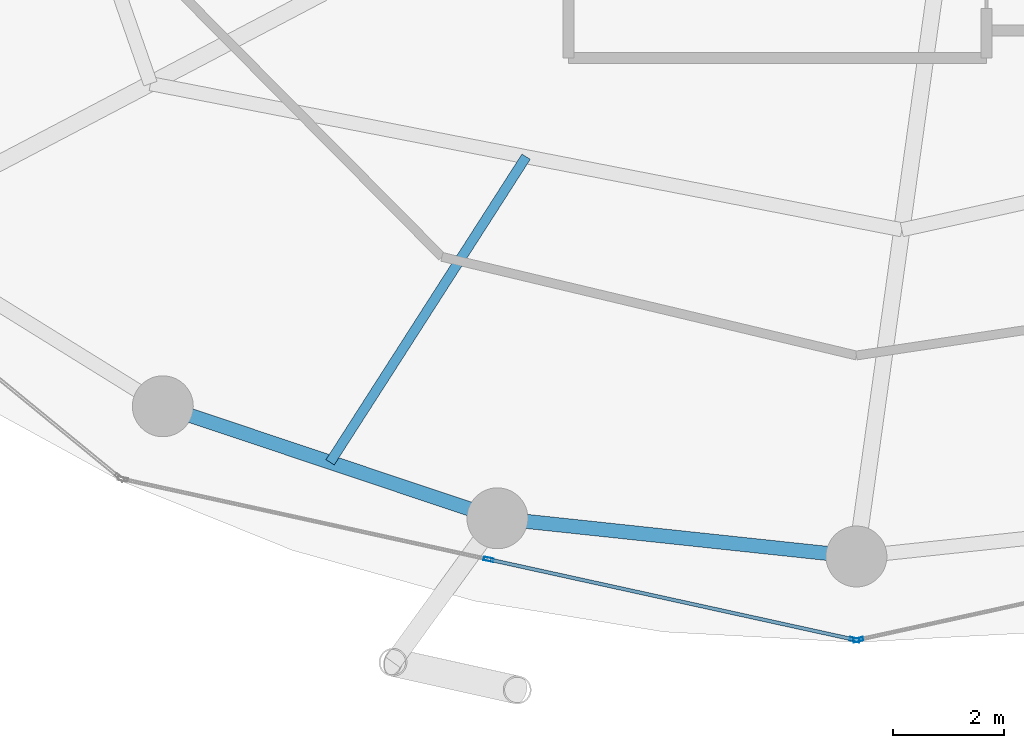
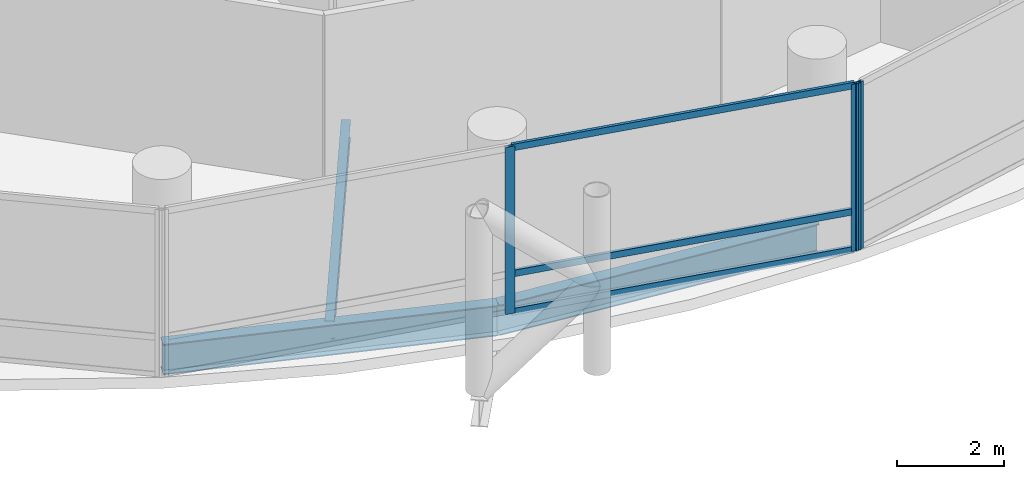
# One storey, part 4 of 24: 6 members, 3 beams, 2 elements without a shape of their own.
"""IFC4 building model written with IfcOpenShell, lengths in metres."""

from ifc_helpers import new_model, si_unit, direction, frame, origin, origin_2d, place, context, subcontext, project, spatial, hollow_rectangle, i_section, extrude, material, layer, layer_set, material_profile, profile_set, type_object, element, aggregate, save


model = new_model("IFC4")

# Units and contexts
model_context = context("Model", 3, precision=1e-05, world=origin(), true_north=direction((0.0, 1.0)))
body_context = subcontext(model_context, "Body", "Model", "MODEL_VIEW")
ifc_project = project(units=[si_unit("LENGTHUNIT", "METRE"), si_unit("AREAUNIT", "SQUARE_METRE"), si_unit("VOLUMEUNIT", "CUBIC_METRE"), si_unit("PLANEANGLEUNIT", "RADIAN"), si_unit("MASSUNIT", "GRAM", prefix="KILO")], contexts=[model_context])

# Site, building, storey
site_placement = place(None, origin())
site = spatial("IfcSite", under=ifc_project, at=site_placement, CompositionType="ELEMENT")
building_placement = place(site_placement, origin())
building = spatial("IfcBuilding", under=site, at=building_placement, Name="Nuhasar Tower", CompositionType="ELEMENT")
storey_placement = place(building_placement, frame((0.0, 0.0, 81.75)))
storey = spatial("IfcBuildingStorey", under=building, at=storey_placement, Name="L19", CompositionType="ELEMENT", Elevation=81.75)

# Beams
ifc_material_1 = material(Name="Steel S355", Category="steel")
ifc_material_profile_1 = material_profile(ifc_material_1, i_section(OverallWidth=0.177978515625, OverallDepth=0.406005859375, WebThickness=0.0078125, FlangeThickness=0.0126953125, at=origin_2d()), Name="W16X40")
ifc_profile_set_1 = profile_set([ifc_material_profile_1], Name="Steel S355")
beam_type_1 = type_object("IfcBeamType", Name="BM-JST-W16X40", PredefinedType="JOIST", material=ifc_profile_set_1)
beam_1_placement = place(storey_placement, frame((33.035888671875, 13.77001953125, -0.452880859375), z_axis=(-0.539944240715, -0.841700788237, 0.0), x_axis=(0.841700788237, -0.539944240715, 0.0)))
element("IfcBeam", 1, at=beam_1_placement, inside=storey, type_object=beam_type_1, Name="L19 Secondary Floor Joist 01", PredefinedType="JOIST", context=body_context, shape_type="SweptSolid", body=[
    extrude(i_section(OverallWidth=0.177978515625, OverallDepth=0.406005859375, WebThickness=0.0078125, FlangeThickness=0.0126953125, at=origin_2d()), origin(), (0.0, 0.0, 1.0), 6.555908203125),
])
ifc_material_profile_2 = material_profile(ifc_material_1, i_section(OverallWidth=0.256103515625, OverallDepth=0.693115234375, WebThickness=0.014404296875, FlangeThickness=0.023681640625, at=origin_2d()), Name="W27X114")
ifc_profile_set_2 = profile_set([ifc_material_profile_2], Name="Steel S355")
beam_type_2 = type_object("IfcBeamType", Name="BM-RING-W27X114", PredefinedType="SPANDREL", material=ifc_profile_set_2)
beam_2_placement = place(storey_placement, frame((26.47509765625, 9.262939453125, -0.596923828125), z_axis=(0.94826097201, -0.317491935271, 0.0), x_axis=(0.317491935271, 0.94826097201, 0.0)))
element("IfcBeam", 2, at=beam_2_placement, inside=storey, type_object=beam_type_2, Name="L19 Perimeter Ring Spandrel 17", PredefinedType="SPANDREL", context=body_context, shape_type="SweptSolid", body=[
    extrude(i_section(OverallWidth=0.256103515625, OverallDepth=0.693115234375, WebThickness=0.014404296875, FlangeThickness=0.023681640625, at=origin_2d()), origin(), (0.0, 0.0, 1.0), 6.37158203125),
])
beam_3_placement = place(storey_placement, frame((32.51708984375, 7.239990234375, -0.596923828125), z_axis=(0.994384554061, -0.105827022286, 0.0), x_axis=(0.105827022286, 0.994384554061, 0.0)))
element("IfcBeam", 3, at=beam_3_placement, inside=storey, type_object=beam_type_2, Name="L19 Perimeter Ring Spandrel 18", PredefinedType="SPANDREL", context=body_context, shape_type="SweptSolid", body=[
    extrude(i_section(OverallWidth=0.256103515625, OverallDepth=0.693115234375, WebThickness=0.014404296875, FlangeThickness=0.023681640625, at=origin_2d()), origin(), (0.0, 0.0, 1.0), 6.51953125),
])

# Curtain wall, members
ifc_material_2 = material(Name="Aluminium 6063-T6", Category="aluminium")
ifc_layer = layer(ifc_material_2, 0.199951171875)
ifc_layer_set = layer_set([ifc_layer], Name="Aluminium 6063-T6")
curtain_wall_type = type_object("IfcCurtainWallType", Name="CW-Z1-OFF", PredefinedType="NOTDEFINED", material=ifc_layer_set)
curtain_wall_1_placement = place(storey_placement, origin())
curtain_wall_1 = element("IfcCurtainWall", 4, at=curtain_wall_1_placement, inside=storey, type_object=curtain_wall_type, Name="L19 Unitised Curtain Wall 09", PredefinedType="NOTDEFINED")
ifc_material_profile_3 = material_profile(ifc_material_2, hollow_rectangle(XDim=0.06494140625, YDim=0.179931640625, WallThickness=0.0048828125, at=origin_2d()), Name="CWM-2")
ifc_profile_set_3 = profile_set([ifc_material_profile_3], Name="Aluminium 6063-T6")
member_type_1 = type_object("IfcMemberType", Name="CW-MUL-S2", PredefinedType="MULLION", material=ifc_profile_set_3)
member_1_placement = place(storey_placement, frame((32.360107421875, 6.49755859375, 0.0), z_axis=(0.0, 0.0, 1.0), x_axis=(0.214398737637, 0.976746221544, 0.0)))
member_1 = element("IfcMember", 5, at=member_1_placement, type_object=member_type_1, Name="CW-Z1 mullion 2", PredefinedType="MULLION", context=body_context, shape_type="SweptSolid", body=[
    extrude(hollow_rectangle(XDim=0.06494140625, YDim=0.179931640625, WallThickness=0.0048828125, at=origin_2d()), origin(), (0.0, 0.0, 1.0), 3.800048828125),
])
member_2_placement = place(storey_placement, frame((38.96826171875, 5.046875, 0.0), z_axis=(0.0, 0.0, 1.0), x_axis=(0.214398737637, 0.976746221544, 0.0)))
member_2 = element("IfcMember", 6, at=member_2_placement, type_object=member_type_1, Name="CW-Z1 mullion 3", PredefinedType="MULLION", context=body_context, shape_type="SweptSolid", body=[
    extrude(hollow_rectangle(XDim=0.06494140625, YDim=0.179931640625, WallThickness=0.0048828125, at=origin_2d()), origin(), (0.0, 0.0, 1.0), 3.800048828125),
])

# Curtain wall, member
curtain_wall_2_placement = place(storey_placement, origin())
curtain_wall_2 = element("IfcCurtainWall", 7, at=curtain_wall_2_placement, inside=storey, type_object=curtain_wall_type, Name="L19 Unitised Curtain Wall 10", PredefinedType="NOTDEFINED")
member_3_placement = place(storey_placement, frame((39.03173828125, 5.046875, 0.0), z_axis=(0.0, 0.0, 1.0), x_axis=(-0.214398737637, 0.976746221544, 0.0)))
member_3 = element("IfcMember", 8, at=member_3_placement, type_object=member_type_1, Name="CW-Z1 mullion 1", PredefinedType="MULLION", context=body_context, shape_type="SweptSolid", body=[
    extrude(hollow_rectangle(XDim=0.06494140625, YDim=0.179931640625, WallThickness=0.0048828125, at=origin_2d()), origin(), (0.0, 0.0, 1.0), 3.800048828125),
])
aggregate(curtain_wall_2, [member_3])

# Member
ifc_material_profile_4 = material_profile(ifc_material_2, hollow_rectangle(XDim=0.06494140625, YDim=0.14990234375, WallThickness=0.00439453125, at=origin_2d()), Name="CWT-2")
ifc_profile_set_4 = profile_set([ifc_material_profile_4], Name="Aluminium 6063-T6")
member_type_2 = type_object("IfcMemberType", Name="CW-TRN-S2", PredefinedType="USERDEFINED", material=ifc_profile_set_4)
member_4_placement = place(storey_placement, frame((32.391845703125, 6.490478515625, 0.032470703125), z_axis=(0.976747879138, -0.214391185916, 0.0), x_axis=(0.214391185916, 0.976747879138, 0.0)))
member_4 = element("IfcMember", 9, at=member_4_placement, type_object=member_type_2, Name="CW-Z1 transom 2.1", ObjectType="TRANSOM", PredefinedType="USERDEFINED", context=body_context, shape_type="SweptSolid", body=[
    extrude(hollow_rectangle(XDim=0.06494140625, YDim=0.14990234375, WallThickness=0.00439453125, at=origin_2d()), origin(), (0.0, 0.0, 1.0), 6.700439453125),
])

member_5_placement = place(storey_placement, frame((32.391845703125, 6.490478515625, 0.89990234375), z_axis=(0.976747879138, -0.214391185916, 0.0), x_axis=(0.214391185916, 0.976747879138, 0.0)))
member_5 = element("IfcMember", 10, at=member_5_placement, type_object=member_type_2, Name="CW-Z1 transom 2.2", ObjectType="TRANSOM", PredefinedType="USERDEFINED", context=body_context, shape_type="SweptSolid", body=[
    extrude(hollow_rectangle(XDim=0.06494140625, YDim=0.14990234375, WallThickness=0.00439453125, at=origin_2d()), origin(), (0.0, 0.0, 1.0), 6.700439453125),
])

member_6_placement = place(storey_placement, frame((32.391845703125, 6.490478515625, 3.767578125), z_axis=(0.976747879138, -0.214391185916, 0.0), x_axis=(0.214391185916, 0.976747879138, 0.0)))
member_6 = element("IfcMember", 11, at=member_6_placement, type_object=member_type_2, Name="CW-Z1 transom 2.3", ObjectType="TRANSOM", PredefinedType="USERDEFINED", context=body_context, shape_type="SweptSolid", body=[
    extrude(hollow_rectangle(XDim=0.06494140625, YDim=0.14990234375, WallThickness=0.00439453125, at=origin_2d()), origin(), (0.0, 0.0, 1.0), 6.700439453125),
])

aggregate(curtain_wall_1, [member_1, member_2, member_4, member_5, member_6])

save(model, "model.ifc")
